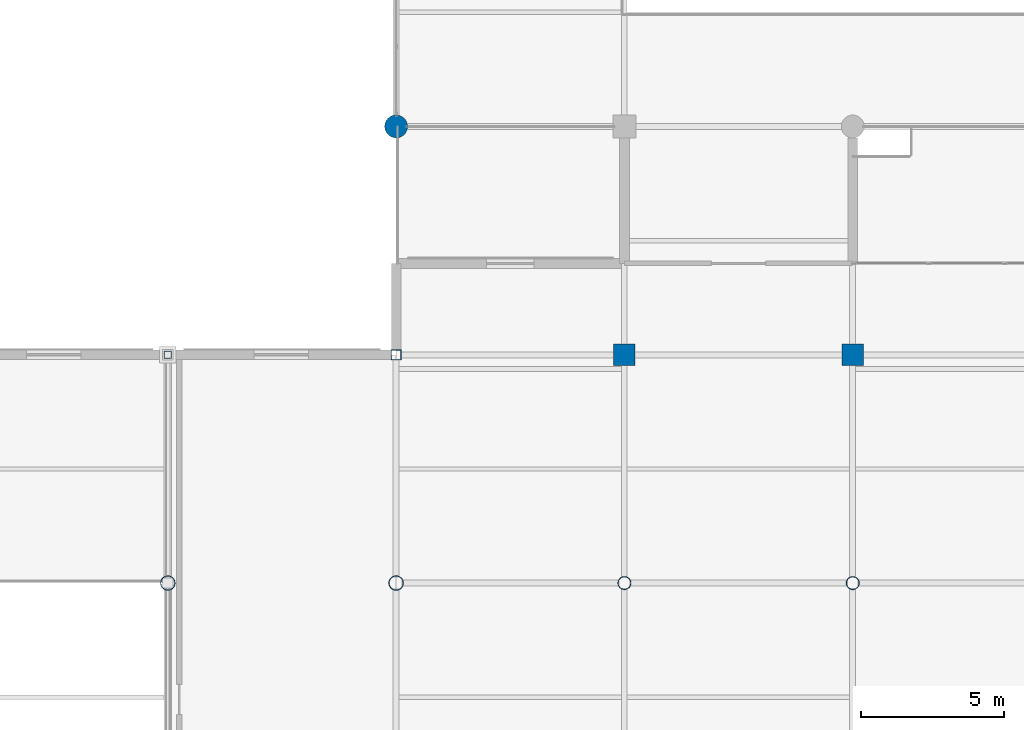
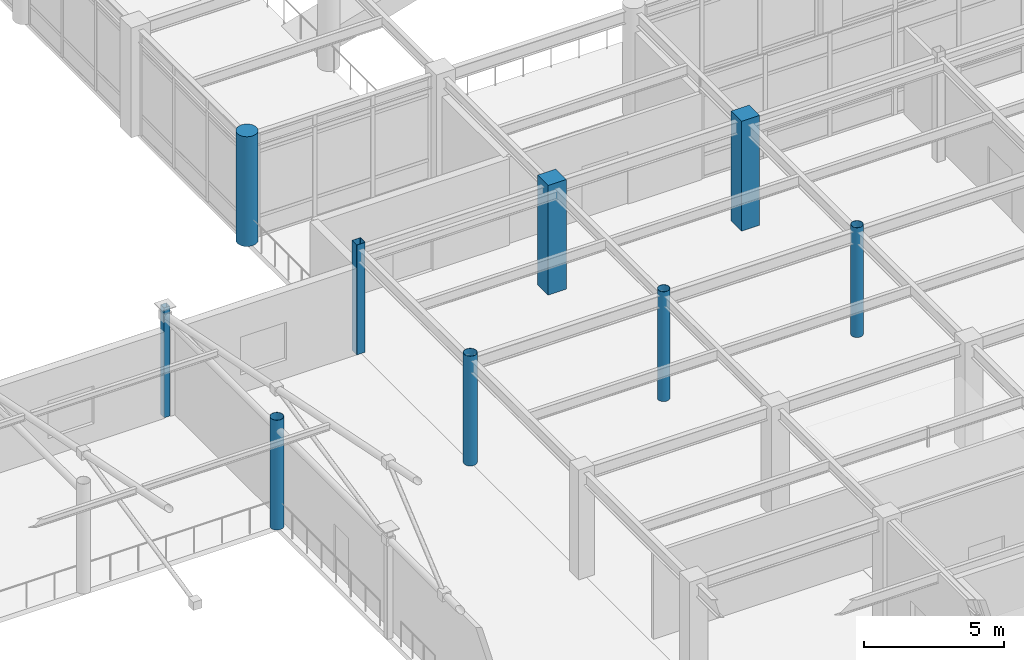
# One storey, part 7 of 117: 9 columns.
"""IFC4 building model written with IfcOpenShell, lengths in metres."""

from ifc_helpers import new_model, si_unit, direction, frame, origin, origin_2d, place, context, subcontext, project, spatial, rectangle, hollow_rectangle, circle, hollow_circle, extrude, material, material_profile, profile_set, type_object, element, save


model = new_model("IFC4")

# Units and contexts
model_context = context("Model", 3, precision=1e-05, world=origin(), true_north=direction((0.0, 1.0)))
body_context = subcontext(model_context, "Body", "Model", "MODEL_VIEW")
ifc_project = project(units=[si_unit("LENGTHUNIT", "METRE"), si_unit("AREAUNIT", "SQUARE_METRE"), si_unit("VOLUMEUNIT", "CUBIC_METRE"), si_unit("PLANEANGLEUNIT", "RADIAN"), si_unit("MASSUNIT", "GRAM", prefix="KILO")], contexts=[model_context])

# Site, building, storey
site_placement = place(None, origin())
site = spatial("IfcSite", under=ifc_project, at=site_placement, CompositionType="ELEMENT")
building_placement = place(site_placement, origin())
building = spatial("IfcBuilding", under=site, at=building_placement, Name="Solmirada Galleria", CompositionType="ELEMENT")
storey_placement = place(building_placement, frame((0.0, 0.0, 5.60009765625)))
storey = spatial("IfcBuildingStorey", under=building, at=storey_placement, Name="L01", CompositionType="ELEMENT", Elevation=5.60009765625)

# Columns
ifc_material_1 = material(Name="Steel S355 / ASTM A500 Grade C", Category="steel")
ifc_material_profile_1 = material_profile(ifc_material_1, hollow_circle(Radius=0.228515625, WallThickness=0.01171875, at=origin_2d()), Name="HSS18.000X0.500")
ifc_profile_set_1 = profile_set([ifc_material_profile_1], Name="Steel S355 / ASTM A500 Grade C")
column_type_1 = type_object("IfcColumnType", Name="COL-CHS18", PredefinedType="COLUMN", material=ifc_profile_set_1)
for number, where, z_axis, x_axis, name in (
    (1, (88.0, 32.0, 0.0), (0.0, 0.0, 1.0), (1.0, 0.0, 0.0), "Structural column L01-0496"),
    (2, (96.0, 32.0, 0.0), (0.0, 0.0, 1.0), (1.0, 0.0, 0.0), "Structural column L01-0618"),
):
    element("IfcColumn", number, at=place(storey_placement, frame(where, z_axis=z_axis, x_axis=x_axis)), inside=storey, type_object=column_type_1, Name=name, PredefinedType="COLUMN", context=body_context, shape_type="SweptSolid", body=[
        extrude(hollow_circle(Radius=0.228515625, WallThickness=0.01171875, at=origin_2d()), origin(), (0.0, 0.0, 1.0), 4.7998046875),
    ])
ifc_material_profile_2 = material_profile(ifc_material_1, hollow_circle(Radius=0.25390625, WallThickness=0.01171875, at=origin_2d()), Name="HSS20.000X0.500")
ifc_profile_set_2 = profile_set([ifc_material_profile_2], Name="Steel S355 / ASTM A500 Grade C")
column_type_2 = type_object("IfcColumnType", Name="COL-CHS20", PredefinedType="COLUMN", material=ifc_profile_set_2)
for number, where, z_axis, x_axis, name in (
    (3, (72.0, 32.0, 0.0), (0.0, 0.0, 1.0), (1.0, 0.0, 0.0), "Structural column L01-0292"),
    (4, (80.0, 32.0, 0.0), (0.0, 0.0, 1.0), (1.0, 0.0, 0.0), "Structural column L01-0378"),
):
    element("IfcColumn", number, at=place(storey_placement, frame(where, z_axis=z_axis, x_axis=x_axis)), inside=storey, type_object=column_type_2, Name=name, PredefinedType="COLUMN", context=body_context, shape_type="SweptSolid", body=[
        extrude(hollow_circle(Radius=0.25390625, WallThickness=0.01171875, at=origin_2d()), origin(), (0.0, 0.0, 1.0), 4.7998046875),
    ])
ifc_material_2 = material(Name="Concrete C40/50", Category="concrete")
ifc_material_profile_3 = material_profile(ifc_material_2, circle(Radius=0.39990234375, at=origin_2d()), Name="RCCOL800")
ifc_profile_set_3 = profile_set([ifc_material_profile_3], Name="Concrete C40/50")
column_type_3 = type_object("IfcColumnType", Name="COL-CIR800", PredefinedType="COLUMN", material=ifc_profile_set_3)
column_1_placement = place(storey_placement, frame((80.0, 48.0, 0.0), z_axis=(0.0, 0.0, 1.0), x_axis=(1.0, 0.0, 0.0)))
element("IfcColumn", 5, at=column_1_placement, inside=storey, type_object=column_type_3, Name="Structural column L01-0389", PredefinedType="COLUMN", context=body_context, shape_type="SweptSolid", body=[
    extrude(circle(Radius=0.39990234375, at=origin_2d()), origin(), (0.0, 0.0, 1.0), 4.7998046875),
])
ifc_material_profile_4 = material_profile(ifc_material_1, hollow_rectangle(XDim=0.25390625, YDim=0.25390625, WallThickness=0.0087890625, InnerFilletRadius=0.0087890625, OuterFilletRadius=0.017822265625, at=origin_2d()), Name="HSS10X10X3/8")
ifc_profile_set_4 = profile_set([ifc_material_profile_4], Name="Steel S355 / ASTM A500 Grade C")
column_type_4 = type_object("IfcColumnType", Name="COL-HSS10", PredefinedType="COLUMN", material=ifc_profile_set_4)
column_2_placement = place(storey_placement, frame((72.0, 40.0, 0.0), z_axis=(0.0, 0.0, 1.0), x_axis=(1.0, 0.0, 0.0)))
element("IfcColumn", 6, at=column_2_placement, inside=storey, type_object=column_type_4, Name="Structural column L01-0299", PredefinedType="COLUMN", context=body_context, shape_type="SweptSolid", body=[
    extrude(hollow_rectangle(XDim=0.25390625, YDim=0.25390625, WallThickness=0.0087890625, InnerFilletRadius=0.0087890625, OuterFilletRadius=0.017822265625, at=origin_2d()), origin(), (0.0, 0.0, 1.0), 4.7998046875),
])
ifc_material_profile_5 = material_profile(ifc_material_1, hollow_rectangle(XDim=0.35595703125, YDim=0.35595703125, WallThickness=0.01171875, InnerFilletRadius=0.01171875, OuterFilletRadius=0.023681640625, at=origin_2d()), Name="HSS14X14X1/2")
ifc_profile_set_5 = profile_set([ifc_material_profile_5], Name="Steel S355 / ASTM A500 Grade C")
column_type_5 = type_object("IfcColumnType", Name="COL-HSS14", PredefinedType="COLUMN", material=ifc_profile_set_5)
column_3_placement = place(storey_placement, frame((80.0, 40.0, 0.0), z_axis=(0.0, 0.0, 1.0), x_axis=(1.0, 0.0, 0.0)))
element("IfcColumn", 7, at=column_3_placement, inside=storey, type_object=column_type_5, Name="Structural column L01-0385", PredefinedType="COLUMN", context=body_context, shape_type="SweptSolid", body=[
    extrude(hollow_rectangle(XDim=0.35595703125, YDim=0.35595703125, WallThickness=0.01171875, InnerFilletRadius=0.01171875, OuterFilletRadius=0.023681640625, at=origin_2d()), origin(), (0.0, 0.0, 1.0), 4.7998046875),
])
ifc_material_profile_6 = material_profile(ifc_material_2, rectangle(XDim=0.75, YDim=0.75, at=origin_2d()), Name="RC750X750")
ifc_profile_set_6 = profile_set([ifc_material_profile_6], Name="Concrete C40/50")
column_type_6 = type_object("IfcColumnType", Name="COL-RC750", PredefinedType="COLUMN", material=ifc_profile_set_6)
for number, where, z_axis, x_axis, name in (
    (8, (88.0, 40.0, 0.0), (0.0, 0.0, 1.0), (1.0, 0.0, 0.0), "Structural column L01-0504"),
    (9, (96.0, 40.0, 0.0), (0.0, 0.0, 1.0), (1.0, 0.0, 0.0), "Structural column L01-0626"),
):
    element("IfcColumn", number, at=place(storey_placement, frame(where, z_axis=z_axis, x_axis=x_axis)), inside=storey, type_object=column_type_6, Name=name, PredefinedType="COLUMN", context=body_context, shape_type="SweptSolid", body=[
        extrude(rectangle(XDim=0.75, YDim=0.75, at=origin_2d()), origin(), (0.0, 0.0, 1.0), 4.7998046875),
    ])

save(model, "model.ifc")
